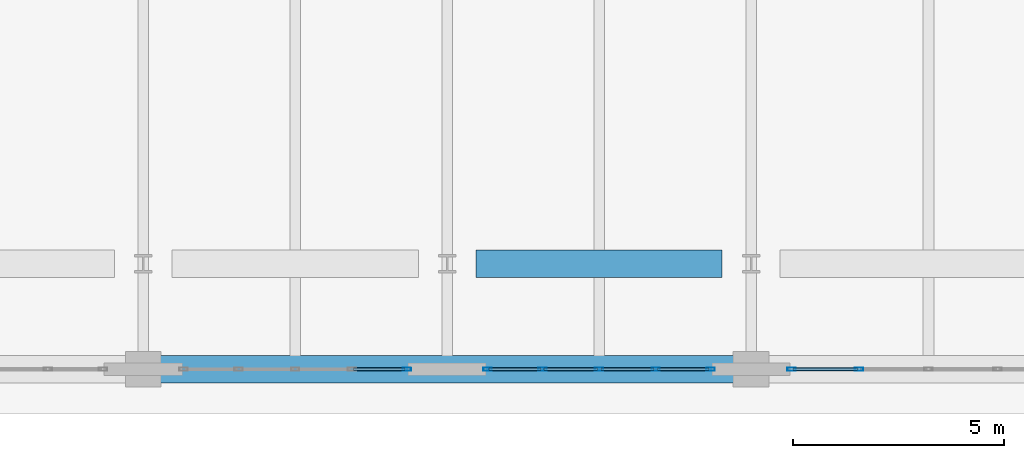
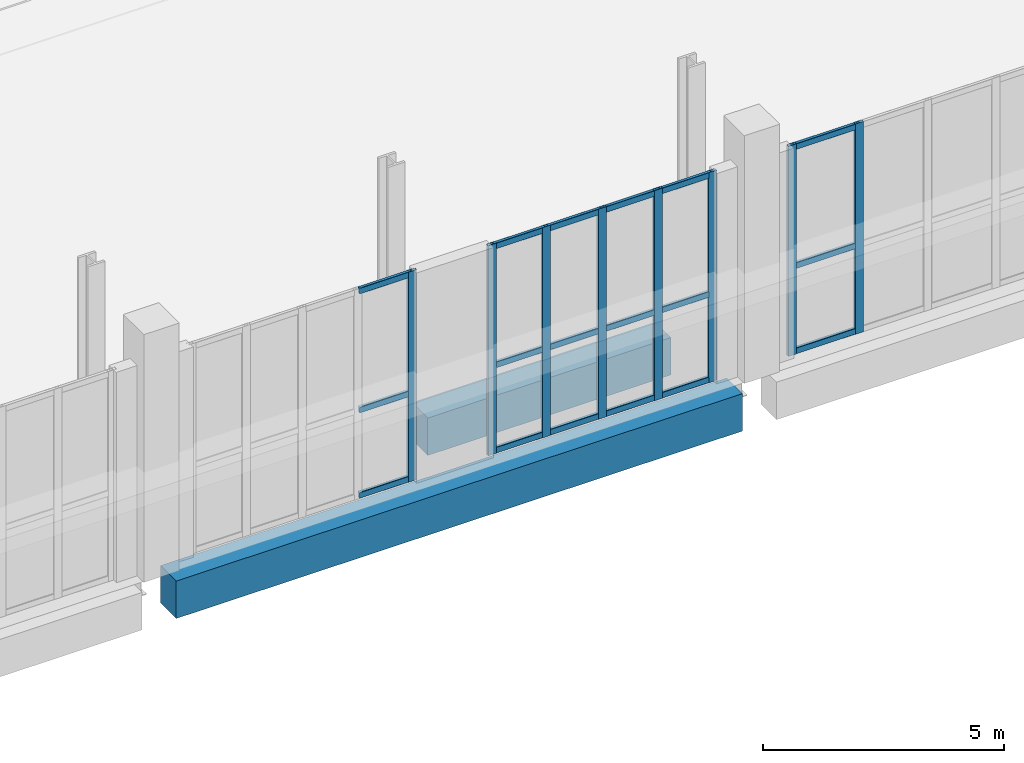
# One storey, part 11 of 29: 26 members, 2 beams, 3 elements without a shape of their own.
"""IFC4 building model written with IfcOpenShell, lengths in metres."""

from ifc_helpers import new_model, si_unit, direction, frame, origin, origin_2d, place, context, subcontext, project, spatial, rectangle, hollow_rectangle, extrude, material, layer, layer_set, material_profile, profile_set, type_object, element, aggregate, save


model = new_model("IFC4")

# Units and contexts
model_context = context("Model", 3, precision=1e-05, world=origin(), true_north=direction((0.0, 1.0)))
body_context = subcontext(model_context, "Body", "Model", "MODEL_VIEW")
ifc_project = project(units=[si_unit("LENGTHUNIT", "METRE"), si_unit("AREAUNIT", "SQUARE_METRE"), si_unit("VOLUMEUNIT", "CUBIC_METRE"), si_unit("PLANEANGLEUNIT", "RADIAN"), si_unit("MASSUNIT", "GRAM", prefix="KILO")], contexts=[model_context])

# Site, building, storey
site_placement = place(None, origin())
site = spatial("IfcSite", under=ifc_project, at=site_placement, CompositionType="ELEMENT")
building_placement = place(site_placement, origin())
building = spatial("IfcBuilding", under=site, at=building_placement, Name="Kaelvorn Grand Hotel", CompositionType="ELEMENT")
storey_placement = place(building_placement, frame((0.0, 0.0, 19.39990234375)))
storey = spatial("IfcBuildingStorey", under=building, at=storey_placement, Name="L03", CompositionType="ELEMENT", Elevation=19.39990234375)

# Beams
ifc_material_1 = material(Name="Concrete C60/75", Category="concrete")
ifc_material_profile_1 = material_profile(ifc_material_1, rectangle(XDim=0.64990234375, YDim=0.949951171875, at=origin_2d()), Name="RC SPANDREL 650x950")
ifc_profile_set_1 = profile_set([ifc_material_profile_1], Name="Concrete C60/75")
beam_type = type_object("IfcBeamType", Name="BM-SP-650x950-C60", PredefinedType="SPANDREL", material=ifc_profile_set_1)
beam_1_placement = place(storey_placement, frame((23.81005859375, -2.5, -0.794921875), z_axis=(1.0, 0.0, 0.0), x_axis=(0.0, 1.0, 0.0)))
element("IfcBeam", 1, at=beam_1_placement, inside=storey, type_object=beam_type, Name="L03 South Perimeter Spandrel 03", PredefinedType="SPANDREL", context=body_context, shape_type="SweptSolid", body=[
    extrude(rectangle(XDim=0.64990234375, YDim=0.949951171875, at=origin_2d()), origin(), (0.0, 0.0, 1.0), 13.579833984375),
])
beam_2_placement = place(storey_placement, frame((31.284912109375, 0.0, -0.794921875), z_axis=(1.0, 0.0, 0.0), x_axis=(0.0, 1.0, 0.0)))
element("IfcBeam", 2, at=beam_2_placement, inside=storey, type_object=beam_type, Name="L03 Tower Line South Girder 04", PredefinedType="SPANDREL", context=body_context, shape_type="SweptSolid", body=[
    extrude(rectangle(XDim=0.64990234375, YDim=0.949951171875, at=origin_2d()), origin(), (0.0, 0.0, 1.0), 5.830078125),
])

# Curtain wall, member
ifc_material_2 = material(Name="Anodised Aluminium", Category="aluminium")
ifc_layer = layer(ifc_material_2, 0.199951171875)
ifc_layer_set = layer_set([ifc_layer], Name="Anodised Aluminium")
curtain_wall_type = type_object("IfcCurtainWallType", Name="CW-SYS2", PredefinedType="NOTDEFINED", material=ifc_layer_set)
curtain_wall_1_placement = place(storey_placement, origin())
curtain_wall_1 = element("IfcCurtainWall", 3, at=curtain_wall_1_placement, inside=storey, type_object=curtain_wall_type, Name="L03 Unitised Curtain Wall CW2 (CW-L03-S-02)", PredefinedType="NOTDEFINED")
ifc_material_profile_2 = material_profile(ifc_material_2, hollow_rectangle(XDim=0.074951171875, YDim=0.199951171875, WallThickness=0.00390625, InnerFilletRadius=0.00390625, OuterFilletRadius=0.008056640625, at=origin_2d()), Name="ALU MULL 75x200")
ifc_profile_set_2 = profile_set([ifc_material_profile_2], Name="Anodised Aluminium")
member_type_1 = type_object("IfcMemberType", Name="CW-SYS2-MULL", PredefinedType="MULLION", material=ifc_profile_set_2)
member_1_placement = place(storey_placement, frame((29.642578125, -2.5, 0.0), z_axis=(0.0, 0.0, 1.0), x_axis=(0.0, 1.0, 0.0)))
member_1 = element("IfcMember", 4, at=member_1_placement, type_object=member_type_1, Name="CW2 mullion 5", PredefinedType="MULLION", context=body_context, shape_type="SweptSolid", body=[
    extrude(hollow_rectangle(XDim=0.074951171875, YDim=0.199951171875, WallThickness=0.00390625, InnerFilletRadius=0.00390625, OuterFilletRadius=0.008056640625, at=origin_2d()), origin(), (0.0, 0.0, 1.0), 5.330078125),
])

# Curtain wall, members
curtain_wall_2_placement = place(storey_placement, origin())
curtain_wall_2 = element("IfcCurtainWall", 5, at=curtain_wall_2_placement, inside=storey, type_object=curtain_wall_type, Name="L03 Unitised Curtain Wall CW2 (CW-L03-S-03)", PredefinedType="NOTDEFINED")
member_2_placement = place(storey_placement, frame((31.5576171875, -2.5, 0.0), z_axis=(0.0, 0.0, 1.0), x_axis=(0.0, 1.0, 0.0)))
member_2 = element("IfcMember", 6, at=member_2_placement, type_object=member_type_1, Name="CW2 mullion 1", PredefinedType="MULLION", context=body_context, shape_type="SweptSolid", body=[
    extrude(hollow_rectangle(XDim=0.074951171875, YDim=0.199951171875, WallThickness=0.00390625, InnerFilletRadius=0.00390625, OuterFilletRadius=0.008056640625, at=origin_2d()), origin(), (0.0, 0.0, 1.0), 5.330078125),
])
member_3_placement = place(storey_placement, frame((32.860107421875, -2.5, 0.0), z_axis=(0.0, 0.0, 1.0), x_axis=(0.0, 1.0, 0.0)))
member_3 = element("IfcMember", 7, at=member_3_placement, type_object=member_type_1, Name="CW2 mullion 2", PredefinedType="MULLION", context=body_context, shape_type="SweptSolid", body=[
    extrude(hollow_rectangle(XDim=0.074951171875, YDim=0.199951171875, WallThickness=0.00390625, InnerFilletRadius=0.00390625, OuterFilletRadius=0.008056640625, at=origin_2d()), origin(), (0.0, 0.0, 1.0), 5.330078125),
])
member_4_placement = place(storey_placement, frame((34.199951171875, -2.5, 0.0), z_axis=(0.0, 0.0, 1.0), x_axis=(0.0, 1.0, 0.0)))
member_4 = element("IfcMember", 8, at=member_4_placement, type_object=member_type_1, Name="CW2 mullion 3", PredefinedType="MULLION", context=body_context, shape_type="SweptSolid", body=[
    extrude(hollow_rectangle(XDim=0.074951171875, YDim=0.199951171875, WallThickness=0.00390625, InnerFilletRadius=0.00390625, OuterFilletRadius=0.008056640625, at=origin_2d()), origin(), (0.0, 0.0, 1.0), 5.330078125),
])
member_5_placement = place(storey_placement, frame((35.5400390625, -2.5, 0.0), z_axis=(0.0, 0.0, 1.0), x_axis=(0.0, 1.0, 0.0)))
member_5 = element("IfcMember", 9, at=member_5_placement, type_object=member_type_1, Name="CW2 mullion 4", PredefinedType="MULLION", context=body_context, shape_type="SweptSolid", body=[
    extrude(hollow_rectangle(XDim=0.074951171875, YDim=0.199951171875, WallThickness=0.00390625, InnerFilletRadius=0.00390625, OuterFilletRadius=0.008056640625, at=origin_2d()), origin(), (0.0, 0.0, 1.0), 5.330078125),
])
member_6_placement = place(storey_placement, frame((36.842529296875, -2.5, 0.0), z_axis=(0.0, 0.0, 1.0), x_axis=(0.0, 1.0, 0.0)))
member_6 = element("IfcMember", 10, at=member_6_placement, type_object=member_type_1, Name="CW2 mullion 5", PredefinedType="MULLION", context=body_context, shape_type="SweptSolid", body=[
    extrude(hollow_rectangle(XDim=0.074951171875, YDim=0.199951171875, WallThickness=0.00390625, InnerFilletRadius=0.00390625, OuterFilletRadius=0.008056640625, at=origin_2d()), origin(), (0.0, 0.0, 1.0), 5.330078125),
])

curtain_wall_3_placement = place(storey_placement, origin())
curtain_wall_3 = element("IfcCurtainWall", 11, at=curtain_wall_3_placement, inside=storey, type_object=curtain_wall_type, Name="L03 Unitised Curtain Wall CW2 (CW-L03-S-04)", PredefinedType="NOTDEFINED")
member_7_placement = place(storey_placement, frame((38.757568359375, -2.5, 0.0), z_axis=(0.0, 0.0, 1.0), x_axis=(0.0, 1.0, 0.0)))
member_7 = element("IfcMember", 12, at=member_7_placement, type_object=member_type_1, Name="CW2 mullion 1", PredefinedType="MULLION", context=body_context, shape_type="SweptSolid", body=[
    extrude(hollow_rectangle(XDim=0.074951171875, YDim=0.199951171875, WallThickness=0.00390625, InnerFilletRadius=0.00390625, OuterFilletRadius=0.008056640625, at=origin_2d()), origin(), (0.0, 0.0, 1.0), 5.330078125),
])
member_8_placement = place(storey_placement, frame((40.360107421875, -2.5, 0.0), z_axis=(0.0, 0.0, 1.0), x_axis=(0.0, 1.0, 0.0)))
member_8 = element("IfcMember", 13, at=member_8_placement, type_object=member_type_1, Name="CW2 mullion 2", PredefinedType="MULLION", context=body_context, shape_type="SweptSolid", body=[
    extrude(hollow_rectangle(XDim=0.074951171875, YDim=0.199951171875, WallThickness=0.00390625, InnerFilletRadius=0.00390625, OuterFilletRadius=0.008056640625, at=origin_2d()), origin(), (0.0, 0.0, 1.0), 5.330078125),
])

# Member
ifc_material_profile_3 = material_profile(ifc_material_2, hollow_rectangle(XDim=0.074951171875, YDim=0.14990234375, WallThickness=0.00390625, InnerFilletRadius=0.00390625, OuterFilletRadius=0.008056640625, at=origin_2d()), Name="ALU TRAN 75x150")
ifc_profile_set_3 = profile_set([ifc_material_profile_3], Name="Anodised Aluminium")
member_type_2 = type_object("IfcMemberType", Name="CW-SYS2-TRAN", PredefinedType="NOTDEFINED", material=ifc_profile_set_3)
member_9_placement = place(storey_placement, frame((28.37744140625, -2.5, 0.0751953125), z_axis=(1.0, 0.0, 0.0), x_axis=(0.0, 1.0, 0.0)))
member_9 = element("IfcMember", 14, at=member_9_placement, type_object=member_type_2, Name="CW2 transom 4.1", ObjectType="TRANSOM", PredefinedType="USERDEFINED", context=body_context, shape_type="SweptSolid", body=[
    extrude(hollow_rectangle(XDim=0.074951171875, YDim=0.14990234375, WallThickness=0.00390625, InnerFilletRadius=0.00390625, OuterFilletRadius=0.008056640625, at=origin_2d()), origin(), (0.0, 0.0, 1.0), 1.2275390625),
])

member_10_placement = place(storey_placement, frame((28.37744140625, -2.5, 2.23876953125), z_axis=(1.0, 0.0, 0.0), x_axis=(0.0, 1.0, 0.0)))
member_10 = element("IfcMember", 15, at=member_10_placement, type_object=member_type_2, Name="CW2 transom 4.2", ObjectType="TRANSOM", PredefinedType="USERDEFINED", context=body_context, shape_type="SweptSolid", body=[
    extrude(hollow_rectangle(XDim=0.074951171875, YDim=0.14990234375, WallThickness=0.00390625, InnerFilletRadius=0.00390625, OuterFilletRadius=0.008056640625, at=origin_2d()), origin(), (0.0, 0.0, 1.0), 1.2275390625),
])

member_11_placement = place(storey_placement, frame((28.37744140625, -2.5, 5.255126953125), z_axis=(1.0, 0.0, 0.0), x_axis=(0.0, 1.0, 0.0)))
member_11 = element("IfcMember", 16, at=member_11_placement, type_object=member_type_2, Name="CW2 transom 4.3", ObjectType="TRANSOM", PredefinedType="USERDEFINED", context=body_context, shape_type="SweptSolid", body=[
    extrude(hollow_rectangle(XDim=0.074951171875, YDim=0.14990234375, WallThickness=0.00390625, InnerFilletRadius=0.00390625, OuterFilletRadius=0.008056640625, at=origin_2d()), origin(), (0.0, 0.0, 1.0), 1.2275390625),
])

aggregate(curtain_wall_1, [member_1, member_9, member_10, member_11])

member_12_placement = place(storey_placement, frame((31.594970703125, -2.5, 0.0751953125), z_axis=(1.0, 0.0, 0.0), x_axis=(0.0, 1.0, 0.0)))
member_12 = element("IfcMember", 17, at=member_12_placement, type_object=member_type_2, Name="CW2 transom 1.1", ObjectType="TRANSOM", PredefinedType="USERDEFINED", context=body_context, shape_type="SweptSolid", body=[
    extrude(hollow_rectangle(XDim=0.074951171875, YDim=0.14990234375, WallThickness=0.00390625, InnerFilletRadius=0.00390625, OuterFilletRadius=0.008056640625, at=origin_2d()), origin(), (0.0, 0.0, 1.0), 1.2275390625),
])

member_13_placement = place(storey_placement, frame((31.594970703125, -2.5, 2.23876953125), z_axis=(1.0, 0.0, 0.0), x_axis=(0.0, 1.0, 0.0)))
member_13 = element("IfcMember", 18, at=member_13_placement, type_object=member_type_2, Name="CW2 transom 1.2", ObjectType="TRANSOM", PredefinedType="USERDEFINED", context=body_context, shape_type="SweptSolid", body=[
    extrude(hollow_rectangle(XDim=0.074951171875, YDim=0.14990234375, WallThickness=0.00390625, InnerFilletRadius=0.00390625, OuterFilletRadius=0.008056640625, at=origin_2d()), origin(), (0.0, 0.0, 1.0), 1.2275390625),
])

member_14_placement = place(storey_placement, frame((31.594970703125, -2.5, 5.255126953125), z_axis=(1.0, 0.0, 0.0), x_axis=(0.0, 1.0, 0.0)))
member_14 = element("IfcMember", 19, at=member_14_placement, type_object=member_type_2, Name="CW2 transom 1.3", ObjectType="TRANSOM", PredefinedType="USERDEFINED", context=body_context, shape_type="SweptSolid", body=[
    extrude(hollow_rectangle(XDim=0.074951171875, YDim=0.14990234375, WallThickness=0.00390625, InnerFilletRadius=0.00390625, OuterFilletRadius=0.008056640625, at=origin_2d()), origin(), (0.0, 0.0, 1.0), 1.2275390625),
])

member_15_placement = place(storey_placement, frame((32.8974609375, -2.5, 0.0751953125), z_axis=(1.0, 0.0, 0.0), x_axis=(0.0, 1.0, 0.0)))
member_15 = element("IfcMember", 20, at=member_15_placement, type_object=member_type_2, Name="CW2 transom 2.1", ObjectType="TRANSOM", PredefinedType="USERDEFINED", context=body_context, shape_type="SweptSolid", body=[
    extrude(hollow_rectangle(XDim=0.074951171875, YDim=0.14990234375, WallThickness=0.00390625, InnerFilletRadius=0.00390625, OuterFilletRadius=0.008056640625, at=origin_2d()), origin(), (0.0, 0.0, 1.0), 1.26513671875),
])

member_16_placement = place(storey_placement, frame((32.8974609375, -2.5, 2.23876953125), z_axis=(1.0, 0.0, 0.0), x_axis=(0.0, 1.0, 0.0)))
member_16 = element("IfcMember", 21, at=member_16_placement, type_object=member_type_2, Name="CW2 transom 2.2", ObjectType="TRANSOM", PredefinedType="USERDEFINED", context=body_context, shape_type="SweptSolid", body=[
    extrude(hollow_rectangle(XDim=0.074951171875, YDim=0.14990234375, WallThickness=0.00390625, InnerFilletRadius=0.00390625, OuterFilletRadius=0.008056640625, at=origin_2d()), origin(), (0.0, 0.0, 1.0), 1.26513671875),
])

member_17_placement = place(storey_placement, frame((32.8974609375, -2.5, 5.255126953125), z_axis=(1.0, 0.0, 0.0), x_axis=(0.0, 1.0, 0.0)))
member_17 = element("IfcMember", 22, at=member_17_placement, type_object=member_type_2, Name="CW2 transom 2.3", ObjectType="TRANSOM", PredefinedType="USERDEFINED", context=body_context, shape_type="SweptSolid", body=[
    extrude(hollow_rectangle(XDim=0.074951171875, YDim=0.14990234375, WallThickness=0.00390625, InnerFilletRadius=0.00390625, OuterFilletRadius=0.008056640625, at=origin_2d()), origin(), (0.0, 0.0, 1.0), 1.26513671875),
])

member_18_placement = place(storey_placement, frame((34.237548828125, -2.5, 0.0751953125), z_axis=(1.0, 0.0, 0.0), x_axis=(0.0, 1.0, 0.0)))
member_18 = element("IfcMember", 23, at=member_18_placement, type_object=member_type_2, Name="CW2 transom 3.1", ObjectType="TRANSOM", PredefinedType="USERDEFINED", context=body_context, shape_type="SweptSolid", body=[
    extrude(hollow_rectangle(XDim=0.074951171875, YDim=0.14990234375, WallThickness=0.00390625, InnerFilletRadius=0.00390625, OuterFilletRadius=0.008056640625, at=origin_2d()), origin(), (0.0, 0.0, 1.0), 1.264892578125),
])

member_19_placement = place(storey_placement, frame((34.237548828125, -2.5, 2.23876953125), z_axis=(1.0, 0.0, 0.0), x_axis=(0.0, 1.0, 0.0)))
member_19 = element("IfcMember", 24, at=member_19_placement, type_object=member_type_2, Name="CW2 transom 3.2", ObjectType="TRANSOM", PredefinedType="USERDEFINED", context=body_context, shape_type="SweptSolid", body=[
    extrude(hollow_rectangle(XDim=0.074951171875, YDim=0.14990234375, WallThickness=0.00390625, InnerFilletRadius=0.00390625, OuterFilletRadius=0.008056640625, at=origin_2d()), origin(), (0.0, 0.0, 1.0), 1.264892578125),
])

member_20_placement = place(storey_placement, frame((34.237548828125, -2.5, 5.255126953125), z_axis=(1.0, 0.0, 0.0), x_axis=(0.0, 1.0, 0.0)))
member_20 = element("IfcMember", 25, at=member_20_placement, type_object=member_type_2, Name="CW2 transom 3.3", ObjectType="TRANSOM", PredefinedType="USERDEFINED", context=body_context, shape_type="SweptSolid", body=[
    extrude(hollow_rectangle(XDim=0.074951171875, YDim=0.14990234375, WallThickness=0.00390625, InnerFilletRadius=0.00390625, OuterFilletRadius=0.008056640625, at=origin_2d()), origin(), (0.0, 0.0, 1.0), 1.264892578125),
])

member_21_placement = place(storey_placement, frame((35.577392578125, -2.5, 0.0751953125), z_axis=(1.0, 0.0, 0.0), x_axis=(0.0, 1.0, 0.0)))
member_21 = element("IfcMember", 26, at=member_21_placement, type_object=member_type_2, Name="CW2 transom 4.1", ObjectType="TRANSOM", PredefinedType="USERDEFINED", context=body_context, shape_type="SweptSolid", body=[
    extrude(hollow_rectangle(XDim=0.074951171875, YDim=0.14990234375, WallThickness=0.00390625, InnerFilletRadius=0.00390625, OuterFilletRadius=0.008056640625, at=origin_2d()), origin(), (0.0, 0.0, 1.0), 1.2275390625),
])

member_22_placement = place(storey_placement, frame((35.577392578125, -2.5, 2.23876953125), z_axis=(1.0, 0.0, 0.0), x_axis=(0.0, 1.0, 0.0)))
member_22 = element("IfcMember", 27, at=member_22_placement, type_object=member_type_2, Name="CW2 transom 4.2", ObjectType="TRANSOM", PredefinedType="USERDEFINED", context=body_context, shape_type="SweptSolid", body=[
    extrude(hollow_rectangle(XDim=0.074951171875, YDim=0.14990234375, WallThickness=0.00390625, InnerFilletRadius=0.00390625, OuterFilletRadius=0.008056640625, at=origin_2d()), origin(), (0.0, 0.0, 1.0), 1.2275390625),
])

member_23_placement = place(storey_placement, frame((35.577392578125, -2.5, 5.255126953125), z_axis=(1.0, 0.0, 0.0), x_axis=(0.0, 1.0, 0.0)))
member_23 = element("IfcMember", 28, at=member_23_placement, type_object=member_type_2, Name="CW2 transom 4.3", ObjectType="TRANSOM", PredefinedType="USERDEFINED", context=body_context, shape_type="SweptSolid", body=[
    extrude(hollow_rectangle(XDim=0.074951171875, YDim=0.14990234375, WallThickness=0.00390625, InnerFilletRadius=0.00390625, OuterFilletRadius=0.008056640625, at=origin_2d()), origin(), (0.0, 0.0, 1.0), 1.2275390625),
])

aggregate(curtain_wall_2, [member_2, member_3, member_4, member_5, member_6, member_12, member_13, member_14, member_15, member_16, member_17, member_18, member_19, member_20, member_21, member_22, member_23])

member_24_placement = place(storey_placement, frame((38.794921875, -2.5, 0.0751953125), z_axis=(1.0, 0.0, 0.0), x_axis=(0.0, 1.0, 0.0)))
member_24 = element("IfcMember", 29, at=member_24_placement, type_object=member_type_2, Name="CW2 transom 1.1", ObjectType="TRANSOM", PredefinedType="USERDEFINED", context=body_context, shape_type="SweptSolid", body=[
    extrude(hollow_rectangle(XDim=0.074951171875, YDim=0.14990234375, WallThickness=0.00390625, InnerFilletRadius=0.00390625, OuterFilletRadius=0.008056640625, at=origin_2d()), origin(), (0.0, 0.0, 1.0), 1.527587890625),
])

member_25_placement = place(storey_placement, frame((38.794921875, -2.5, 2.23876953125), z_axis=(1.0, 0.0, 0.0), x_axis=(0.0, 1.0, 0.0)))
member_25 = element("IfcMember", 30, at=member_25_placement, type_object=member_type_2, Name="CW2 transom 1.2", ObjectType="TRANSOM", PredefinedType="USERDEFINED", context=body_context, shape_type="SweptSolid", body=[
    extrude(hollow_rectangle(XDim=0.074951171875, YDim=0.14990234375, WallThickness=0.00390625, InnerFilletRadius=0.00390625, OuterFilletRadius=0.008056640625, at=origin_2d()), origin(), (0.0, 0.0, 1.0), 1.527587890625),
])

member_26_placement = place(storey_placement, frame((38.794921875, -2.5, 5.255126953125), z_axis=(1.0, 0.0, 0.0), x_axis=(0.0, 1.0, 0.0)))
member_26 = element("IfcMember", 31, at=member_26_placement, type_object=member_type_2, Name="CW2 transom 1.3", ObjectType="TRANSOM", PredefinedType="USERDEFINED", context=body_context, shape_type="SweptSolid", body=[
    extrude(hollow_rectangle(XDim=0.074951171875, YDim=0.14990234375, WallThickness=0.00390625, InnerFilletRadius=0.00390625, OuterFilletRadius=0.008056640625, at=origin_2d()), origin(), (0.0, 0.0, 1.0), 1.527587890625),
])

aggregate(curtain_wall_3, [member_7, member_8, member_24, member_25, member_26])

save(model, "model.ifc")
